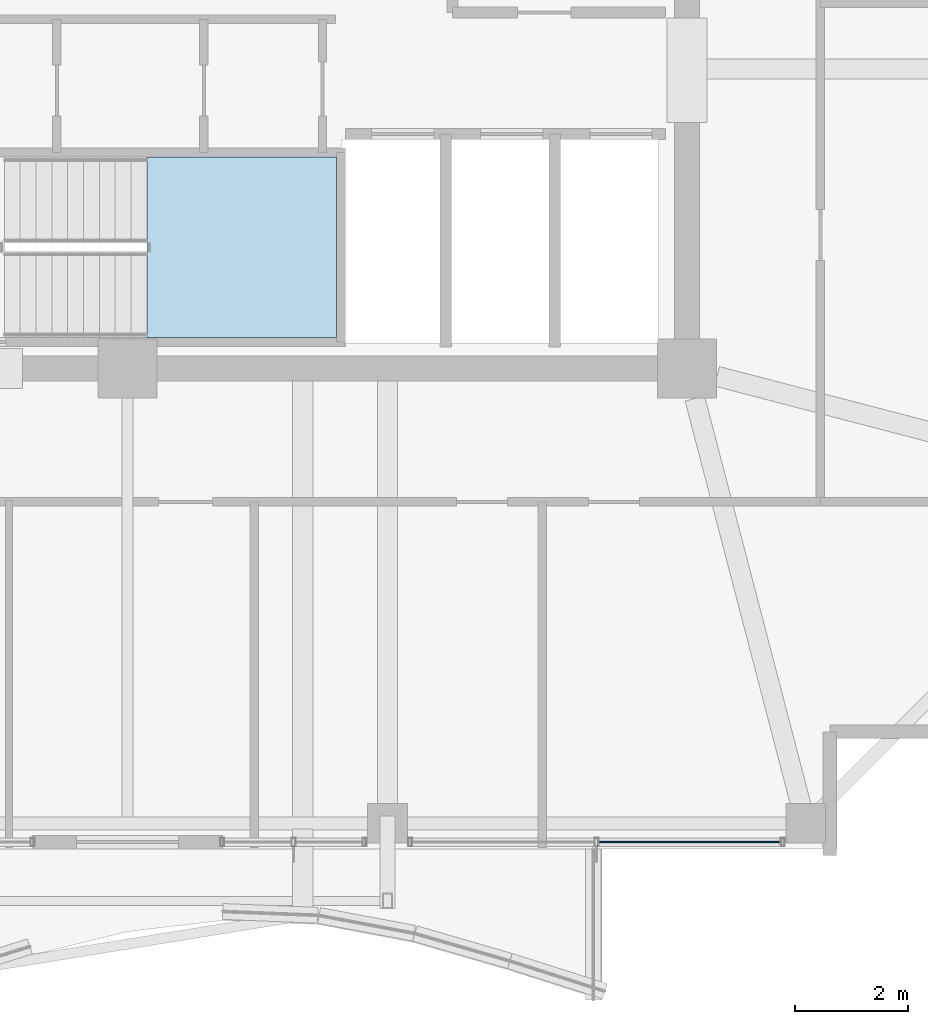
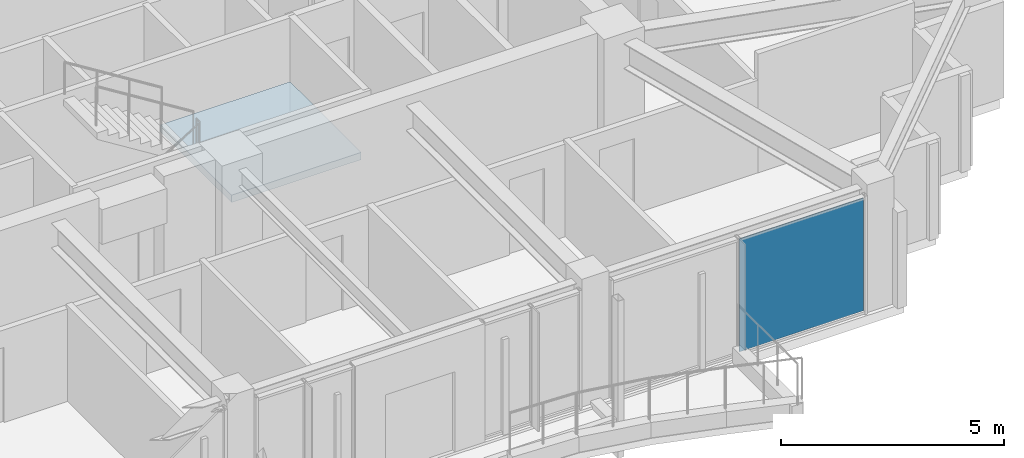
# One storey, part 22 of 34: 1 plate, 1 slab, 2 elements without a shape of their own.
"""IFC4 building model written with IfcOpenShell, lengths in metres."""

from ifc_helpers import new_model, si_unit, direction, frame, origin, origin_2d, place, context, subcontext, project, spatial, polyline, rectangle, outline, extrude, material, layer, layer_set, type_object, element, aggregate, save


model = new_model("IFC4")

# Units and contexts
model_context = context("Model", 3, precision=1e-05, world=origin(), true_north=direction((0.0, 1.0)))
body_context = subcontext(model_context, "Body", "Model", "MODEL_VIEW")
ifc_project = project(units=[si_unit("LENGTHUNIT", "METRE"), si_unit("AREAUNIT", "SQUARE_METRE"), si_unit("VOLUMEUNIT", "CUBIC_METRE"), si_unit("PLANEANGLEUNIT", "RADIAN"), si_unit("MASSUNIT", "GRAM", prefix="KILO")], contexts=[model_context])

# Site, building, storey
site_placement = place(None, origin())
site = spatial("IfcSite", under=ifc_project, at=site_placement, CompositionType="ELEMENT")
building_placement = place(site_placement, origin())
building = spatial("IfcBuilding", under=site, at=building_placement, Name="Kolvaren Belvedere", CompositionType="ELEMENT")
storey_placement = place(building_placement, frame((0.0, 0.0, 240.89990234375)))
storey = spatial("IfcBuildingStorey", under=building, at=storey_placement, Name="L70", CompositionType="ELEMENT", Elevation=240.89990234375)

# Curtain wall, plate
ifc_material_1 = material(Name="Anodised pale-metal aluminium AA 6063-T6", Category="aluminium")
curtain_wall_type = type_object("IfcCurtainWallType", Name="CW-Z5-HIGH", PredefinedType="NOTDEFINED", material=ifc_material_1)
curtain_wall_placement = place(storey_placement, origin())
curtain_wall = element("IfcCurtainWall", 1, at=curtain_wall_placement, inside=storey, type_object=curtain_wall_type, Name="L70 Unitised Curtain Wall FCW-L70-S1-B1", PredefinedType="NOTDEFINED")
ifc_material_2 = material(Name="Low-iron triple insulated glass", Category="glass")
ifc_layer_1 = layer(ifc_material_2, 0.028076171875)
ifc_layer_set_1 = layer_set([ifc_layer_1], Name="Low-iron triple insulated glass")
plate_type = type_object("IfcPlateType", Name="CW-PNL-VIS28", PredefinedType="CURTAIN_PANEL", material=ifc_layer_set_1)
plate_placement = place(storey_placement, frame((9.947509765625, -18.280029296875, 0.080078125), z_axis=(0.0, 0.0, 1.0), x_axis=(-1.0, 0.0, 0.0)))
plate = element("IfcPlate", 2, at=plate_placement, type_object=plate_type, Name="FCW-L70-S1-B1 Vision Glazing Panel 1", PredefinedType="CURTAIN_PANEL", context=body_context, shape_type="SweptSolid", body=[
    extrude(rectangle(XDim=3.215087890625, YDim=0.028076171875, at=origin_2d()), origin(), (0.0, 0.0, 1.0), 3.090087890625),
])
aggregate(curtain_wall, [plate])

# Stair, slab
ifc_material_3 = material(Name="Concrete C50/60", Category="concrete")
stair_type = type_object("IfcStairType", Name="ST-CORE-1520", PredefinedType="HALF_TURN_STAIR", material=ifc_material_3)
stair_placement = place(storey_placement, origin())
stair = element("IfcStair", 3, at=stair_placement, inside=storey, type_object=stair_type, Name="L70 Protected Exit Stair ST-3", PredefinedType="HALF_TURN_STAIR")
ifc_material_4 = material(Name="Concrete C50/60", Category="concrete")
ifc_layer_2 = layer(ifc_material_4, 0.260009765625)
ifc_layer_set_2 = layer_set([ifc_layer_2], Name="Concrete C50/60")
slab_type = type_object("IfcSlabType", Name="SL-LAND-260", PredefinedType="LANDING", material=ifc_layer_set_2)
slab_placement = place(storey_placement, frame((0.0, 0.0, 1.550048828125)))
slab = element("IfcSlab", 4, at=slab_placement, type_object=slab_type, Name="ST-3 landing 1", PredefinedType="LANDING", context=body_context, shape_type="SweptSolid", body=[
    extrude(outline(polyline([(0.340087890625, -9.35009765625), (3.699951171875, -9.35009765625), (3.699951171875, -6.159912109375), (0.340087890625, -6.159912109375), (0.340087890625, -9.35009765625)])), origin(), (0.0, 0.0, 1.0), 0.199951171875),
])
aggregate(stair, [slab])

save(model, "model.ifc")
